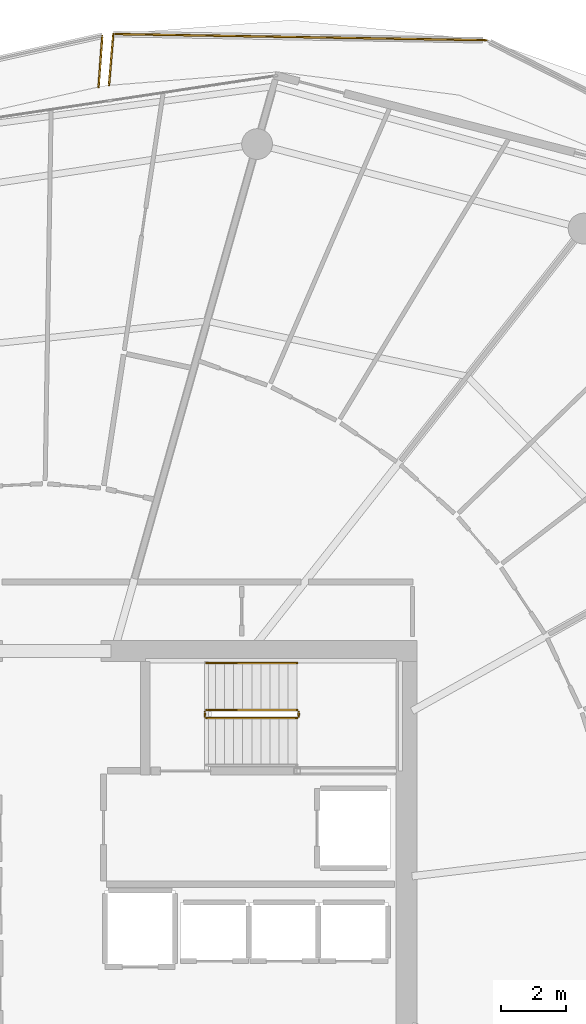
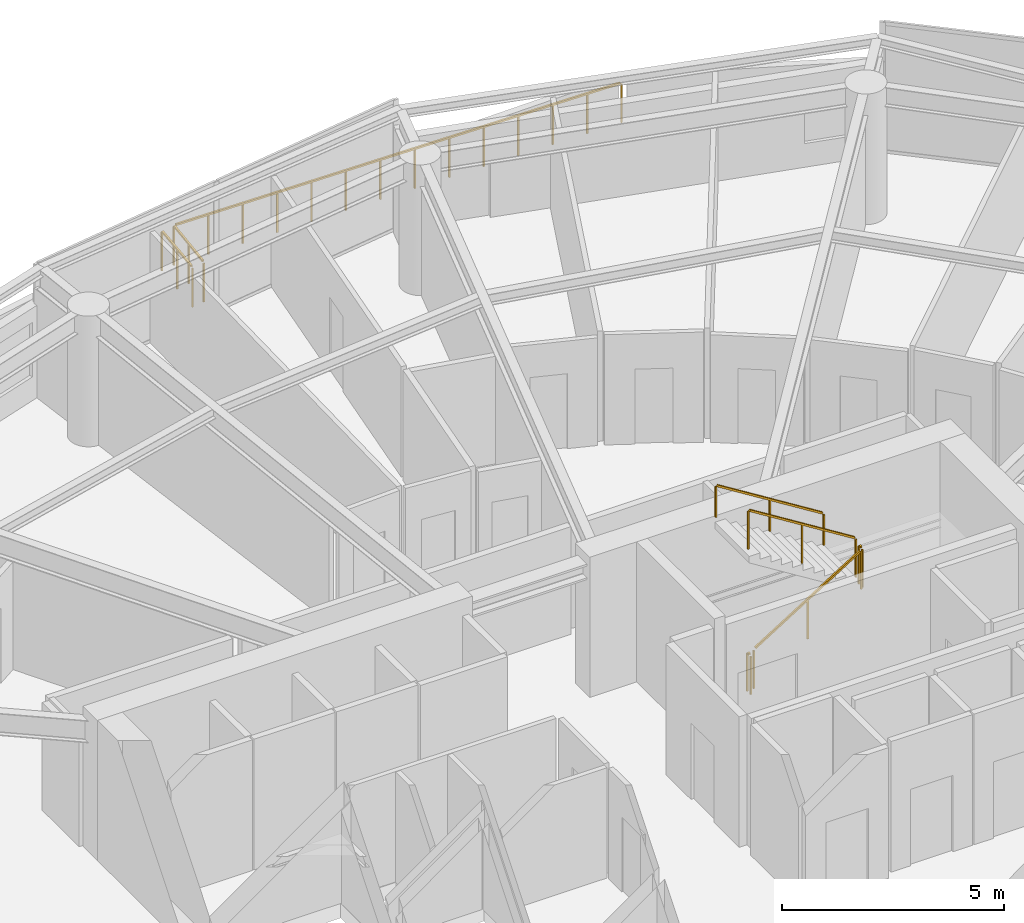
# One storey, part 29 of 30: 8 railings.
"""IFC4 building model written with IfcOpenShell, lengths in metres."""

from ifc_helpers import new_model, si_unit, direction, frame, origin, origin_2d, place, context, subcontext, project, spatial, rectangle, extrude, material, type_object, element, save


model = new_model("IFC4")

# Units and contexts
model_context = context("Model", 3, precision=1e-05, world=origin(), true_north=direction((0.0, 1.0)))
body_context = subcontext(model_context, "Body", "Model", "MODEL_VIEW")
ifc_project = project(units=[si_unit("LENGTHUNIT", "METRE"), si_unit("AREAUNIT", "SQUARE_METRE"), si_unit("VOLUMEUNIT", "CUBIC_METRE"), si_unit("PLANEANGLEUNIT", "RADIAN"), si_unit("MASSUNIT", "GRAM", prefix="KILO")], contexts=[model_context])

# Site, building, storey
site_placement = place(None, origin())
site = spatial("IfcSite", under=ifc_project, at=site_placement, CompositionType="ELEMENT")
building_placement = place(site_placement, origin())
building = spatial("IfcBuilding", under=site, at=building_placement, Name="Kazma Halo Residences", CompositionType="ELEMENT")
storey_placement = place(building_placement, frame((0.0, 0.0, 236.699951171875)))
storey = spatial("IfcBuildingStorey", under=building, at=storey_placement, Name="L59", CompositionType="ELEMENT", Elevation=236.699951171875)

# Railings
ifc_material_1 = material(Name="Aluminium AW-6063 T6 Brushed Cap Rail", Category="aluminium")
railing_type_1 = type_object("IfcRailingType", Name="RLG-BAL-CAP-1120", PredefinedType="BALUSTRADE", material=ifc_material_1)
railing_1_placement = place(storey_placement, frame((61.852783203125, 69.1875, 0.0)))
element("IfcRailing", 1, at=railing_1_placement, inside=storey, type_object=railing_type_1, Name="L59 NE wave balcony guard 3", PredefinedType="BALUSTRADE", context=body_context, shape_type="SweptSolid", body=[
    extrude(rectangle(XDim=0.050048828125, YDim=0.050048828125, at=origin_2d()), frame((-0.04248046875, 0.000732421875, 1.09521484375), z_axis=(-0.999862231462, 0.01659873776, 0.0), x_axis=(-0.01659873776, -0.999862231462, 0.0)), (0.0, 0.0, 1.0), 11.4462890625),
    extrude(rectangle(XDim=0.0400390625, YDim=0.0400390625, at=origin_2d()), origin(), (0.0, 0.0, 1.0), 1.05810546875),
    extrude(rectangle(XDim=0.0400390625, YDim=0.0400390625, at=origin_2d()), frame((-0.886962890625, 0.0146484375, 0.0)), (0.0, 0.0, 1.0), 1.05810546875),
    extrude(rectangle(XDim=0.0400390625, YDim=0.0400390625, at=origin_2d()), frame((-1.77392578125, 0.029541015625, 0.0)), (0.0, 0.0, 1.0), 1.05810546875),
    extrude(rectangle(XDim=0.0400390625, YDim=0.0400390625, at=origin_2d()), frame((-2.66064453125, 0.044189453125, 0.0)), (0.0, 0.0, 1.0), 1.05810546875),
    extrude(rectangle(XDim=0.0400390625, YDim=0.0400390625, at=origin_2d()), frame((-3.547607421875, 0.058837890625, 0.0)), (0.0, 0.0, 1.0), 1.05810546875),
    extrude(rectangle(XDim=0.0400390625, YDim=0.0400390625, at=origin_2d()), frame((-4.4345703125, 0.07373046875, 0.0)), (0.0, 0.0, 1.0), 1.05810546875),
    extrude(rectangle(XDim=0.0400390625, YDim=0.0400390625, at=origin_2d()), frame((-5.321533203125, 0.08837890625, 0.0)), (0.0, 0.0, 1.0), 1.05810546875),
    extrude(rectangle(XDim=0.0400390625, YDim=0.0400390625, at=origin_2d()), frame((-6.208251953125, 0.10302734375, 0.0)), (0.0, 0.0, 1.0), 1.05810546875),
    extrude(rectangle(XDim=0.0400390625, YDim=0.0400390625, at=origin_2d()), frame((-7.09521484375, 0.11767578125, 0.0)), (0.0, 0.0, 1.0), 1.05810546875),
    extrude(rectangle(XDim=0.0400390625, YDim=0.0400390625, at=origin_2d()), frame((-7.982177734375, 0.132568359375, 0.0)), (0.0, 0.0, 1.0), 1.05810546875),
    extrude(rectangle(XDim=0.0400390625, YDim=0.0400390625, at=origin_2d()), frame((-8.869140625, 0.147216796875, 0.0)), (0.0, 0.0, 1.0), 1.05810546875),
    extrude(rectangle(XDim=0.0400390625, YDim=0.0400390625, at=origin_2d()), frame((-9.755859375, 0.161865234375, 0.0)), (0.0, 0.0, 1.0), 1.05810546875),
    extrude(rectangle(XDim=0.0400390625, YDim=0.0400390625, at=origin_2d()), frame((-10.642822265625, 0.1767578125, 0.0)), (0.0, 0.0, 1.0), 1.05810546875),
    extrude(rectangle(XDim=0.0400390625, YDim=0.0400390625, at=origin_2d()), frame((-11.52978515625, 0.19140625, 0.0)), (0.0, 0.0, 1.0), 1.05810546875),
])
railing_2_placement = place(storey_placement, frame((50.322998046875, 69.37890625, 0.0)))
element("IfcRailing", 2, at=railing_2_placement, inside=storey, type_object=railing_type_1, Name="L59 NE wave balcony guard 4", PredefinedType="BALUSTRADE", context=body_context, shape_type="SweptSolid", body=[
    extrude(rectangle(XDim=0.050048828125, YDim=0.050048828125, at=origin_2d()), frame((-0.003662109375, -0.04248046875, 1.09521484375), z_axis=(-0.084430160174, -0.996429399432, 0.0), x_axis=(0.996429399432, -0.084430160174, 0.0)), (0.0, 0.0, 1.0), 1.50537109375),
    extrude(rectangle(XDim=0.0400390625, YDim=0.0400390625, at=origin_2d()), origin(), (0.0, 0.0, 1.0), 1.05810546875),
    extrude(rectangle(XDim=0.0400390625, YDim=0.0400390625, at=origin_2d()), frame((-0.067138671875, -0.79248046875, 0.0)), (0.0, 0.0, 1.0), 1.05810546875),
    extrude(rectangle(XDim=0.0400390625, YDim=0.0400390625, at=origin_2d()), frame((-0.13427734375, -1.584716796875, 0.0)), (0.0, 0.0, 1.0), 1.05810546875),
])
railing_3_placement = place(storey_placement, frame((49.8681640625, 67.74609375, 0.0)))
element("IfcRailing", 3, at=railing_3_placement, inside=storey, type_object=railing_type_1, Name="L59 NNW wave balcony guard 1", PredefinedType="BALUSTRADE", context=body_context, shape_type="SweptSolid", body=[
    extrude(rectangle(XDim=0.050048828125, YDim=0.050048828125, at=origin_2d()), frame((0.003173828125, 0.04248046875, 1.09521484375), z_axis=(0.072374162312, 0.997377551697, 0.0), x_axis=(-0.997377551697, 0.072374162312, 0.0)), (0.0, 0.0, 1.0), 1.50048828125),
    extrude(rectangle(XDim=0.0400390625, YDim=0.0400390625, at=origin_2d()), origin(), (0.0, 0.0, 1.0), 1.05810546875),
    extrude(rectangle(XDim=0.0400390625, YDim=0.0400390625, at=origin_2d()), frame((0.057373046875, 0.79052734375, 0.0)), (0.0, 0.0, 1.0), 1.05810546875),
    extrude(rectangle(XDim=0.0400390625, YDim=0.0400390625, at=origin_2d()), frame((0.11474609375, 1.581298828125, 0.0)), (0.0, 0.0, 1.0), 1.05810546875),
])
ifc_material_2 = material(Name="Painted Steel S355", Category="steel")
railing_type_2 = type_object("IfcRailingType", Name="RLG-STAIR-GRD-1100", PredefinedType="GUARDRAIL", material=ifc_material_2)
railing_4_placement = place(storey_placement, frame((53.199951171875, 48.25, 0.175048828125)))
element("IfcRailing", 4, at=railing_4_placement, inside=storey, type_object=railing_type_2, Name="L59 ST-02 stair guard 1", PredefinedType="GUARDRAIL", context=body_context, shape_type="SweptSolid", body=[
    extrude(rectangle(XDim=0.050048828125, YDim=0.050048828125, at=origin_2d()), frame((0.0361328125, 0.0, 1.09765625), z_axis=(0.848002457836, 0.0, 0.529992293815), x_axis=(0.0, 1.0, 0.0)), (0.0, 0.0, 1.0), 3.216796875),
    extrude(rectangle(XDim=0.0400390625, YDim=0.0400390625, at=origin_2d()), origin(), (0.0, 0.0, 1.0), 1.0380859375),
    extrude(rectangle(XDim=0.0400390625, YDim=0.0400390625, at=origin_2d()), frame((1.39990234375, 0.0, 0.875)), (0.0, 0.0, 1.0), 1.0380859375),
    extrude(rectangle(XDim=0.0400390625, YDim=0.0400390625, at=origin_2d()), frame((2.800048828125, 0.0, 1.75)), (0.0, 0.0, 1.0), 1.0380859375),
])
railing_5_placement = place(storey_placement, frame((56.050048828125, 48.300048828125, 1.925048828125)))
element("IfcRailing", 5, at=railing_5_placement, inside=storey, type_object=railing_type_2, Name="L59 ST-02 stair guard 2", PredefinedType="GUARDRAIL", context=body_context, shape_type="SweptSolid", body=[
    extrude(rectangle(XDim=0.050048828125, YDim=0.050048828125, at=origin_2d()), frame((0.0, 0.04248046875, 1.0751953125), z_axis=(0.0, 1.0, 0.0), x_axis=(-1.0, 0.0, 0.0)), (0.0, 0.0, 1.0), 0.06494140625),
    extrude(rectangle(XDim=0.0400390625, YDim=0.0400390625, at=origin_2d()), origin(), (0.0, 0.0, 1.0), 1.0380859375),
    extrude(rectangle(XDim=0.0400390625, YDim=0.0400390625, at=origin_2d()), frame((0.0, 0.14990234375, 0.0)), (0.0, 0.0, 1.0), 1.0380859375),
])
railing_6_placement = place(storey_placement, frame((56.0, 48.5, 2.10009765625)))
element("IfcRailing", 6, at=railing_6_placement, inside=storey, type_object=railing_type_2, Name="L59 ST-02 stair guard 3", PredefinedType="GUARDRAIL", context=body_context, shape_type="SweptSolid", body=[
    extrude(rectangle(XDim=0.050048828125, YDim=0.050048828125, at=origin_2d()), frame((-0.0361328125, 0.0, 1.09765625), z_axis=(-0.848002457836, 0.0, 0.529992293815), x_axis=(0.0, -1.0, 0.0)), (0.0, 0.0, 1.0), 3.216796875),
    extrude(rectangle(XDim=0.0400390625, YDim=0.0400390625, at=origin_2d()), origin(), (0.0, 0.0, 1.0), 1.0380859375),
    extrude(rectangle(XDim=0.0400390625, YDim=0.0400390625, at=origin_2d()), frame((-1.39990234375, 0.0, 0.875)), (0.0, 0.0, 1.0), 1.0380859375),
    extrude(rectangle(XDim=0.0400390625, YDim=0.0400390625, at=origin_2d()), frame((-2.800048828125, 0.0, 1.75)), (0.0, 0.0, 1.0), 1.0380859375),
])
railing_7_placement = place(storey_placement, frame((53.14990234375, 48.300048828125, 0.0)))
element("IfcRailing", 7, at=railing_7_placement, inside=storey, type_object=railing_type_2, Name="L59 ST-02 stair guard 4", PredefinedType="GUARDRAIL", context=body_context, shape_type="SweptSolid", body=[
    extrude(rectangle(XDim=0.050048828125, YDim=0.050048828125, at=origin_2d()), frame((0.0, 0.04248046875, 1.0751953125), z_axis=(0.0, 1.0, 0.0), x_axis=(-1.0, 0.0, 0.0)), (0.0, 0.0, 1.0), 0.06494140625),
    extrude(rectangle(XDim=0.0400390625, YDim=0.0400390625, at=origin_2d()), origin(), (0.0, 0.0, 1.0), 1.0380859375),
    extrude(rectangle(XDim=0.0400390625, YDim=0.0400390625, at=origin_2d()), frame((0.0, 0.14990234375, 0.0)), (0.0, 0.0, 1.0), 1.0380859375),
])
ifc_material_3 = material(Name="Brushed Stainless Steel", Category="steel")
railing_type_3 = type_object("IfcRailingType", Name="RLG-STAIR-HND-900", PredefinedType="HANDRAIL", material=ifc_material_3)
railing_8_placement = place(storey_placement, frame((56.0, 49.949951171875, 2.10009765625)))
element("IfcRailing", 8, at=railing_8_placement, inside=storey, type_object=railing_type_3, Name="L59 ST-02 stair handrail 2", PredefinedType="HANDRAIL", context=body_context, shape_type="SweptSolid", body=[
    extrude(rectangle(XDim=0.050048828125, YDim=0.050048828125, at=origin_2d()), frame((-0.0361328125, 0.0, 0.8974609375), z_axis=(-0.848002457836, 0.0, 0.529992293815), x_axis=(0.0, -1.0, 0.0)), (0.0, 0.0, 1.0), 3.216796875),
    extrude(rectangle(XDim=0.0400390625, YDim=0.0400390625, at=origin_2d()), origin(), (0.0, 0.0, 1.0), 0.837890625),
    extrude(rectangle(XDim=0.0400390625, YDim=0.0400390625, at=origin_2d()), frame((-1.39990234375, 0.0, 0.875)), (0.0, 0.0, 1.0), 0.837890625),
    extrude(rectangle(XDim=0.0400390625, YDim=0.0400390625, at=origin_2d()), frame((-2.800048828125, 0.0, 1.75)), (0.0, 0.0, 1.0), 0.837890625),
])

save(model, "model.ifc")
